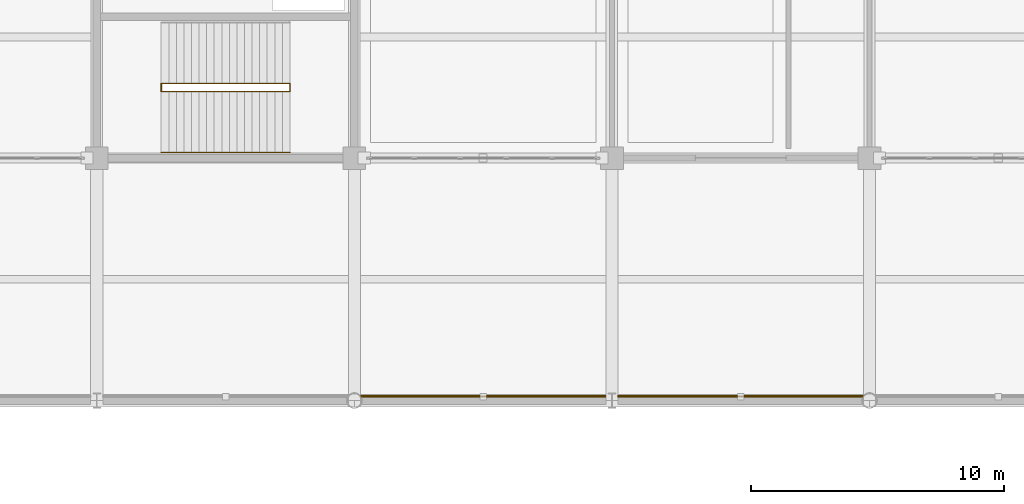
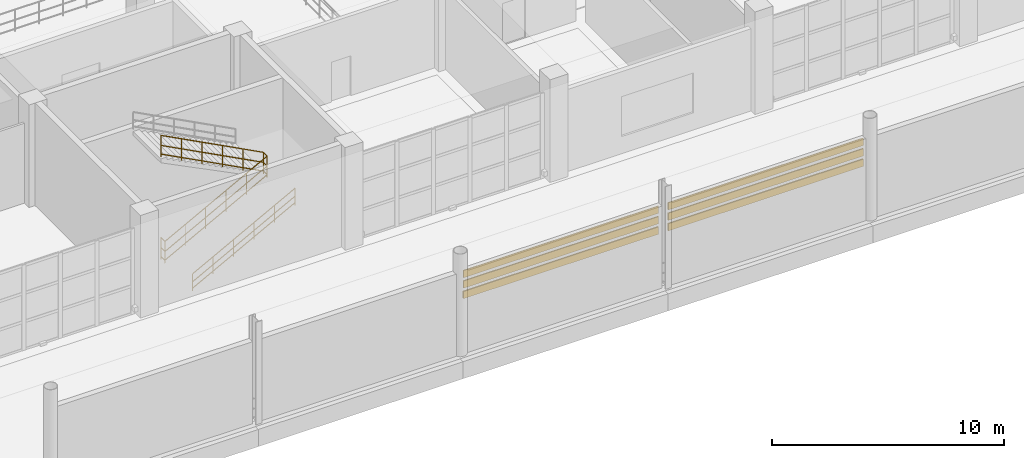
# One storey, part 161 of 175: 6 coverings, 3 railings.
"""IFC4 building model written with IfcOpenShell, lengths in metres."""

from ifc_helpers import new_model, si_unit, direction, frame, origin, origin_2d, place, context, subcontext, project, spatial, polyline, circle, outline, extrude, material, layer, layer_set, type_object, element, save


model = new_model("IFC4")

# Units and contexts
model_context = context("Model", 3, precision=1e-05, world=origin(), true_north=direction((0.0, 1.0)))
body_context = subcontext(model_context, "Body", "Model", "MODEL_VIEW")
ifc_project = project(units=[si_unit("LENGTHUNIT", "METRE"), si_unit("AREAUNIT", "SQUARE_METRE"), si_unit("VOLUMEUNIT", "CUBIC_METRE"), si_unit("PLANEANGLEUNIT", "RADIAN"), si_unit("MASSUNIT", "GRAM", prefix="KILO")], contexts=[model_context])

# Site, building, storey
site_placement = place(None, origin())
site = spatial("IfcSite", under=ifc_project, at=site_placement, CompositionType="ELEMENT")
building_placement = place(site_placement, origin())
building = spatial("IfcBuilding", under=site, at=building_placement, Name="Brelvane Convention Centre", CompositionType="ELEMENT")
storey_placement = place(building_placement, frame((0.0, 0.0, 5.39990234375)))
storey = spatial("IfcBuildingStorey", under=building, at=storey_placement, Name="L01", CompositionType="ELEMENT", Elevation=5.39990234375)

# Coverings
ifc_material_1 = material(Name="Patinated Copper-Bronze Alloy C22000")
ifc_layer_1 = layer(ifc_material_1, 0.044921875)
ifc_layer_set_1 = layer_set([ifc_layer_1], Name="Patinated Copper-Bronze Alloy C22000")
covering_type_1 = type_object("IfcCoveringType", Name="Envelope Covering CL-CU1", PredefinedType="CLADDING", material=ifc_layer_set_1)
covering_1_placement = place(storey_placement, frame((0.0, 0.0, 3.77001953125)))
element("IfcCovering", 1, at=covering_1_placement, inside=storey, type_object=covering_type_1, Name="Copper-Bronze Hull Band L01-V1N-L01-05-1", PredefinedType="CLADDING", context=body_context, shape_type="SweptSolid", body=[
    extrude(outline(polyline([(41.0400390625, 99.740966796875), (50.760009765625, 99.740966796875), (50.760009765625, 99.785888671875), (41.0400390625, 99.785888671875), (41.0400390625, 99.740966796875)])), origin(), (0.0, 0.0, 1.0), 0.380126953125),
])
covering_2_placement = place(storey_placement, frame((0.0, 0.0, 3.77001953125)))
element("IfcCovering", 2, at=covering_2_placement, inside=storey, type_object=covering_type_1, Name="Copper-Bronze Hull Band L01-V1N-L01-06-1", PredefinedType="CLADDING", context=body_context, shape_type="SweptSolid", body=[
    extrude(outline(polyline([(51.239990234375, 99.740966796875), (60.9599609375, 99.740966796875), (60.9599609375, 99.785888671875), (51.239990234375, 99.785888671875), (51.239990234375, 99.740966796875)])), origin(), (0.0, 0.0, 1.0), 0.380126953125),
])
ifc_material_2 = material(Name="Patinated Copper-Bronze Alloy C22000")
ifc_layer_2 = layer(ifc_material_2, 0.054931640625)
ifc_layer_set_2 = layer_set([ifc_layer_2], Name="Patinated Copper-Bronze Alloy C22000")
covering_type_2 = type_object("IfcCoveringType", Name="Envelope Covering CL-CU2", PredefinedType="CLADDING", material=ifc_layer_set_2)
covering_3_placement = place(storey_placement, frame((0.0, 0.0, 3.22021484375)))
element("IfcCovering", 3, at=covering_3_placement, inside=storey, type_object=covering_type_2, Name="Copper-Bronze Hull Band L01-V1N-L01-05-2", PredefinedType="CLADDING", context=body_context, shape_type="SweptSolid", body=[
    extrude(outline(polyline([(41.0400390625, 99.740966796875), (50.760009765625, 99.740966796875), (50.760009765625, 99.7958984375), (41.0400390625, 99.7958984375), (41.0400390625, 99.740966796875)])), origin(), (0.0, 0.0, 1.0), 0.3798828125),
])
covering_4_placement = place(storey_placement, frame((0.0, 0.0, 3.22021484375)))
element("IfcCovering", 4, at=covering_4_placement, inside=storey, type_object=covering_type_2, Name="Copper-Bronze Hull Band L01-V1N-L01-06-2", PredefinedType="CLADDING", context=body_context, shape_type="SweptSolid", body=[
    extrude(outline(polyline([(51.239990234375, 99.740966796875), (60.9599609375, 99.740966796875), (60.9599609375, 99.7958984375), (51.239990234375, 99.7958984375), (51.239990234375, 99.740966796875)])), origin(), (0.0, 0.0, 1.0), 0.3798828125),
])
ifc_material_3 = material(Name="Patinated Copper-Bronze Alloy C22000")
ifc_layer_3 = layer(ifc_material_3, 0.06494140625)
ifc_layer_set_3 = layer_set([ifc_layer_3], Name="Patinated Copper-Bronze Alloy C22000")
covering_type_3 = type_object("IfcCoveringType", Name="Envelope Covering CL-CU3", PredefinedType="CLADDING", material=ifc_layer_set_3)
covering_5_placement = place(storey_placement, frame((0.0, 0.0, 2.670166015625)))
element("IfcCovering", 5, at=covering_5_placement, inside=storey, type_object=covering_type_3, Name="Copper-Bronze Hull Band L01-V1N-L01-05-3", PredefinedType="CLADDING", context=body_context, shape_type="SweptSolid", body=[
    extrude(outline(polyline([(41.0400390625, 99.740966796875), (50.760009765625, 99.740966796875), (50.760009765625, 99.805908203125), (41.0400390625, 99.805908203125), (41.0400390625, 99.740966796875)])), origin(), (0.0, 0.0, 1.0), 0.3798828125),
])
covering_6_placement = place(storey_placement, frame((0.0, 0.0, 2.670166015625)))
element("IfcCovering", 6, at=covering_6_placement, inside=storey, type_object=covering_type_3, Name="Copper-Bronze Hull Band L01-V1N-L01-06-3", PredefinedType="CLADDING", context=body_context, shape_type="SweptSolid", body=[
    extrude(outline(polyline([(51.239990234375, 99.740966796875), (60.9599609375, 99.740966796875), (60.9599609375, 99.805908203125), (51.239990234375, 99.805908203125), (51.239990234375, 99.740966796875)])), origin(), (0.0, 0.0, 1.0), 0.3798828125),
])

# Railings
ifc_material_4 = material(Name="Steel E350 (350 MPa)", Category="steel")
railing_type_1 = type_object("IfcRailingType", Name="Stair Railing GR-ST-1", PredefinedType="GUARDRAIL", material=ifc_material_4)
railing_1_placement = place(storey_placement, frame((33.14990234375, 111.840087890625, -0.02001953125)))
element("IfcRailing", 7, at=railing_1_placement, inside=storey, type_object=railing_type_1, Name="Stair ST-07 L01 Inner Well Guard", PredefinedType="GUARDRAIL", context=body_context, shape_type="SweptSolid", body=[
    extrude(circle(Radius=0.02392578125, at=origin_2d()), frame((0.0, 0.0, 1.1259765625), z_axis=(0.882341248864, 0.0, 0.470610157724), x_axis=(0.0, 1.0, 0.0)), (0.0, 0.0, 1.0), 5.7802734375),
    extrude(circle(Radius=0.02392578125, at=origin_2d()), frame((0.0, 0.0, 0.597900390625), z_axis=(0.882341248864, 0.0, 0.470610157724), x_axis=(0.0, 1.0, 0.0)), (0.0, 0.0, 1.0), 5.7802734375),
    extrude(circle(Radius=0.02392578125, at=origin_2d()), frame((0.0, 0.0, 0.139892578125), z_axis=(0.882341248864, 0.0, 0.470610157724), x_axis=(0.0, 1.0, 0.0)), (0.0, 0.0, 1.0), 5.7802734375),
    extrude(circle(Radius=0.02392578125, at=origin_2d()), frame((5.10009765625, 0.0, 3.84619140625), z_axis=(0.0, 1.0, 0.0), x_axis=(-1.0, 0.0, 0.0)), (0.0, 0.0, 1.0), 0.31982421875),
    extrude(circle(Radius=0.02392578125, at=origin_2d()), frame((5.10009765625, 0.0, 3.318115234375), z_axis=(0.0, 1.0, 0.0), x_axis=(-1.0, 0.0, 0.0)), (0.0, 0.0, 1.0), 0.31982421875),
    extrude(circle(Radius=0.02392578125, at=origin_2d()), frame((5.10009765625, 0.0, 2.860107421875), z_axis=(0.0, 1.0, 0.0), x_axis=(-1.0, 0.0, 0.0)), (0.0, 0.0, 1.0), 0.31982421875),
    extrude(circle(Radius=0.02392578125, at=origin_2d()), frame((5.10009765625, 0.31982421875, 3.84619140625), z_axis=(-0.885227801088, 0.0, 0.465157758379), x_axis=(0.0, -1.0, 0.0)), (0.0, 0.0, 1.0), 5.76123046875),
    extrude(circle(Radius=0.02392578125, at=origin_2d()), frame((5.10009765625, 0.31982421875, 3.318115234375), z_axis=(-0.885227801088, 0.0, 0.465157758379), x_axis=(0.0, -1.0, 0.0)), (0.0, 0.0, 1.0), 5.76123046875),
    extrude(circle(Radius=0.02392578125, at=origin_2d()), frame((5.10009765625, 0.31982421875, 2.860107421875), z_axis=(-0.885227801088, 0.0, 0.465157758379), x_axis=(0.0, -1.0, 0.0)), (0.0, 0.0, 1.0), 5.76123046875),
    extrude(circle(Radius=0.02099609375, at=origin_2d()), origin(), (0.0, 0.0, 1.0), 1.101806640625),
    extrude(circle(Radius=0.02099609375, at=origin_2d()), frame((1.02001953125, 0.0, 0.5439453125)), (0.0, 0.0, 1.0), 1.101806640625),
    extrude(circle(Radius=0.02099609375, at=origin_2d()), frame((2.0400390625, 0.0, 1.088134765625)), (0.0, 0.0, 1.0), 1.101806640625),
    extrude(circle(Radius=0.02099609375, at=origin_2d()), frame((3.06005859375, 0.0, 1.632080078125)), (0.0, 0.0, 1.0), 1.101806640625),
    extrude(circle(Radius=0.02099609375, at=origin_2d()), frame((4.080078125, 0.0, 2.17626953125)), (0.0, 0.0, 1.0), 1.101806640625),
    extrude(circle(Radius=0.02099609375, at=origin_2d()), frame((5.10009765625, 0.0, 2.72021484375)), (0.0, 0.0, 1.0), 1.101806640625),
    extrude(circle(Radius=0.02099609375, at=origin_2d()), frame((5.10009765625, 0.31982421875, 2.72021484375)), (0.0, 0.0, 1.0), 1.101806640625),
    extrude(circle(Radius=0.02099609375, at=origin_2d()), frame((4.080078125, 0.31982421875, 3.256103515625)), (0.0, 0.0, 1.0), 1.101806640625),
    extrude(circle(Radius=0.02099609375, at=origin_2d()), frame((3.06005859375, 0.31982421875, 3.792236328125)), (0.0, 0.0, 1.0), 1.101806640625),
    extrude(circle(Radius=0.02099609375, at=origin_2d()), frame((2.0400390625, 0.31982421875, 4.328125)), (0.0, 0.0, 1.0), 1.101806640625),
    extrude(circle(Radius=0.02099609375, at=origin_2d()), frame((1.02001953125, 0.31982421875, 4.8642578125)), (0.0, 0.0, 1.0), 1.101806640625),
    extrude(circle(Radius=0.02099609375, at=origin_2d()), frame((0.0, 0.31982421875, 5.400146484375)), (0.0, 0.0, 1.0), 1.101806640625),
])
ifc_material_5 = material(Name="Steel E350 (350 MPa)", Category="steel")
railing_type_2 = type_object("IfcRailingType", Name="Stair Railing GR-ST-2", PredefinedType="GUARDRAIL", material=ifc_material_5)
railing_2_placement = place(storey_placement, frame((33.14990234375, 111.840087890625, -0.02001953125)))
element("IfcRailing", 8, at=railing_2_placement, inside=storey, type_object=railing_type_2, Name="Stair ST-07 L01 Landing Well Guard", PredefinedType="GUARDRAIL", context=body_context, shape_type="SweptSolid", body=[
    extrude(circle(Radius=0.02392578125, at=origin_2d()), frame((0.0, 0.0, 1.15576171875), z_axis=(0.0, 1.0, 0.0), x_axis=(-1.0, 0.0, 0.0)), (0.0, 0.0, 1.0), 0.31982421875),
    extrude(circle(Radius=0.02392578125, at=origin_2d()), frame((0.0, 0.0, 0.613525390625), z_axis=(0.0, 1.0, 0.0), x_axis=(-1.0, 0.0, 0.0)), (0.0, 0.0, 1.0), 0.31982421875),
    extrude(circle(Radius=0.02392578125, at=origin_2d()), frame((0.0, 0.0, 0.139892578125), z_axis=(0.0, 1.0, 0.0), x_axis=(-1.0, 0.0, 0.0)), (0.0, 0.0, 1.0), 0.31982421875),
    extrude(circle(Radius=0.02099609375, at=origin_2d()), origin(), (0.0, 0.0, 1.0), 1.1318359375),
    extrude(circle(Radius=0.02099609375, at=origin_2d()), frame((0.0, 0.31982421875, 0.0)), (0.0, 0.0, 1.0), 1.1318359375),
])
ifc_material_6 = material(Name="Steel E350 (350 MPa)", Category="steel")
railing_type_3 = type_object("IfcRailingType", Name="Stair Railing HR-ST-1", PredefinedType="HANDRAIL", material=ifc_material_6)
railing_3_placement = place(storey_placement, frame((33.14990234375, 109.429931640625, -0.02001953125)))
element("IfcRailing", 9, at=railing_3_placement, inside=storey, type_object=railing_type_3, Name="Stair ST-07 L01 Outer Handrail F1", PredefinedType="HANDRAIL", context=body_context, shape_type="SweptSolid", body=[
    extrude(circle(Radius=0.02392578125, at=origin_2d()), frame((0.0, 0.0, 0.89599609375), z_axis=(0.882341248864, 0.0, 0.470610157724), x_axis=(0.0, 1.0, 0.0)), (0.0, 0.0, 1.0), 5.7802734375),
    extrude(circle(Radius=0.02392578125, at=origin_2d()), frame((0.0, 0.0, 0.478271484375), z_axis=(0.882341248864, 0.0, 0.470610157724), x_axis=(0.0, 1.0, 0.0)), (0.0, 0.0, 1.0), 5.7802734375),
    extrude(circle(Radius=0.02392578125, at=origin_2d()), frame((0.0, 0.0, 0.139892578125), z_axis=(0.882341248864, 0.0, 0.470610157724), x_axis=(0.0, 1.0, 0.0)), (0.0, 0.0, 1.0), 5.7802734375),
    extrude(circle(Radius=0.02099609375, at=origin_2d()), origin(), (0.0, 0.0, 1.0), 0.871826171875),
    extrude(circle(Radius=0.02099609375, at=origin_2d()), frame((1.02001953125, 0.0, 0.5439453125)), (0.0, 0.0, 1.0), 0.871826171875),
    extrude(circle(Radius=0.02099609375, at=origin_2d()), frame((2.0400390625, 0.0, 1.088134765625)), (0.0, 0.0, 1.0), 0.871826171875),
    extrude(circle(Radius=0.02099609375, at=origin_2d()), frame((3.06005859375, 0.0, 1.632080078125)), (0.0, 0.0, 1.0), 0.871826171875),
    extrude(circle(Radius=0.02099609375, at=origin_2d()), frame((4.080078125, 0.0, 2.17626953125)), (0.0, 0.0, 1.0), 0.871826171875),
    extrude(circle(Radius=0.02099609375, at=origin_2d()), frame((5.10009765625, 0.0, 2.72021484375)), (0.0, 0.0, 1.0), 0.871826171875),
])

save(model, "model.ifc")
